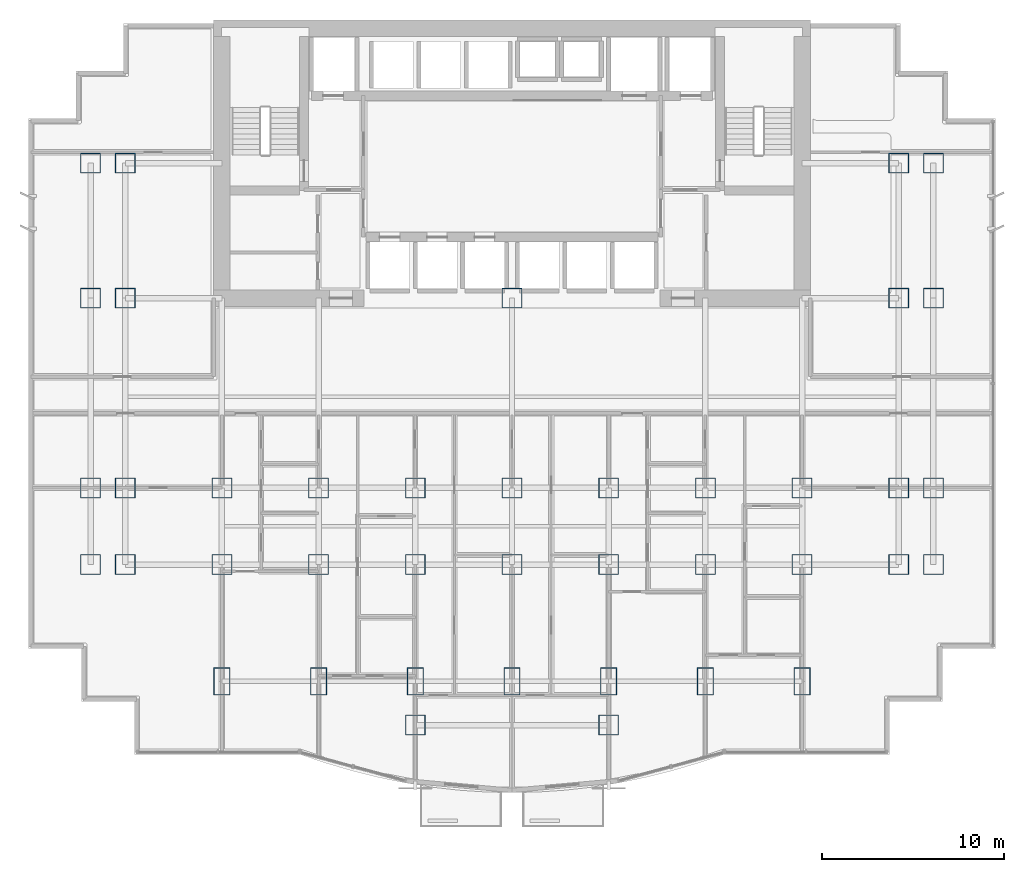
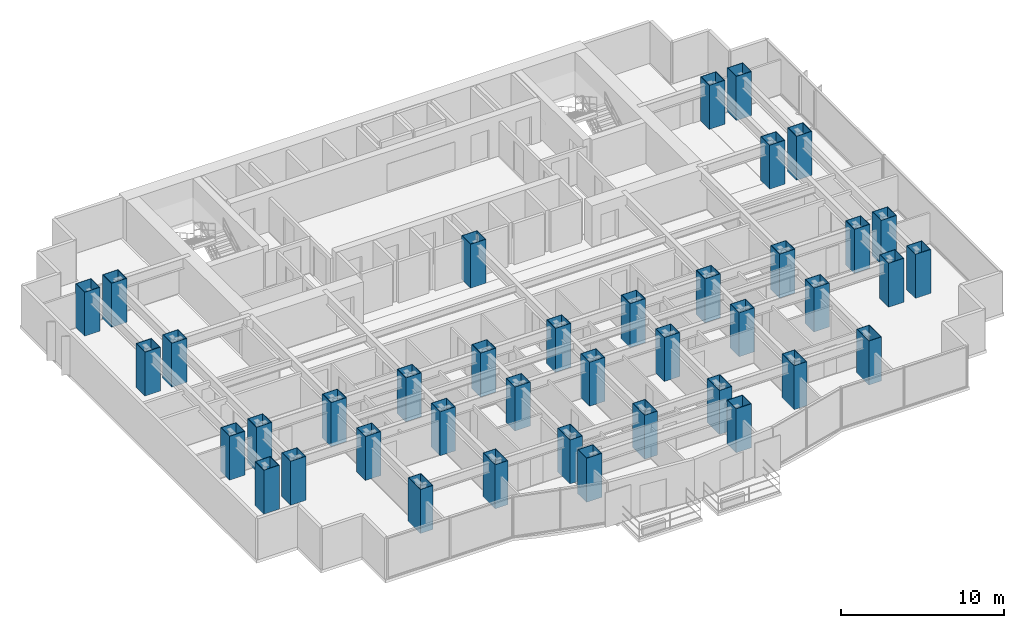
# One storey, part 1 of 12: 40 columns.
"""IFC4 building model written with IfcOpenShell, lengths in metres."""

from ifc_helpers import new_model, si_unit, direction, frame, origin, origin_2d, place, context, subcontext, project, spatial, hollow_rectangle, extrude, material, material_profile, profile_set, type_object, element, save


model = new_model("IFC4")

# Units and contexts
model_context = context("Model", 3, precision=1e-05, world=origin(), true_north=direction((0.0, 1.0)))
body_context = subcontext(model_context, "Body", "Model", "MODEL_VIEW")
ifc_project = project(units=[si_unit("LENGTHUNIT", "METRE"), si_unit("AREAUNIT", "SQUARE_METRE"), si_unit("VOLUMEUNIT", "CUBIC_METRE"), si_unit("PLANEANGLEUNIT", "RADIAN"), si_unit("MASSUNIT", "GRAM", prefix="KILO")], contexts=[model_context])

# Site, building, storey
site_placement = place(None, origin())
site = spatial("IfcSite", under=ifc_project, at=site_placement, CompositionType="ELEMENT")
building_placement = place(site_placement, origin())
building = spatial("IfcBuilding", under=site, at=building_placement, Name="Qianlan Lanfeng Residences", CompositionType="ELEMENT")
storey_placement = place(building_placement, frame((0.0, 0.0, 63.800048828125)))
storey = spatial("IfcBuildingStorey", under=building, at=storey_placement, Name="L17", CompositionType="ELEMENT", Elevation=63.800048828125)

# Columns
ifc_material = material(Name="Steel SN490B", Category="steel")
ifc_material_profile_1 = material_profile(ifc_material, hollow_rectangle(XDim=1.10009765625, YDim=1.10009765625, WallThickness=0.035888671875, at=origin_2d()), Name="BOX 1100x1100x36")
ifc_profile_set_1 = profile_set([ifc_material_profile_1], Name="Steel SN490B")
column_type_1 = type_object("IfcColumnType", Name="C-B1300", PredefinedType="COLUMN", material=ifc_profile_set_1)
for number, where, z_axis, x_axis, name in (
    (1, (26.5, 25.199951171875, 0.0), (0.0, 0.0, 1.0), (1.0, 0.0, 0.0), "L17 Structural Column CP_26.5_25.2"),
    (2, (10.60009765625, 14.800048828125, 0.0), (0.0, 0.0, 1.0), (1.0, 0.0, 0.0), "L17 Structural Column M_10.60_14.80"),
    (3, (10.60009765625, 10.60009765625, 0.0), (0.0, 0.0, 1.0), (1.0, 0.0, 0.0), "L17 Structural Column G_10.60_10.60"),
    (4, (15.89990234375, 14.800048828125, 0.0), (0.0, 0.0, 1.0), (1.0, 0.0, 0.0), "L17 Structural Column M_15.90_14.80"),
    (5, (15.89990234375, 10.60009765625, 0.0), (0.0, 0.0, 1.0), (1.0, 0.0, 0.0), "L17 Structural Column G_15.90_10.60"),
    (6, (21.199951171875, 14.800048828125, 0.0), (0.0, 0.0, 1.0), (1.0, 0.0, 0.0), "L17 Structural Column M_21.20_14.80"),
    (7, (21.199951171875, 10.60009765625, 0.0), (0.0, 0.0, 1.0), (1.0, 0.0, 0.0), "L17 Structural Column G_21.20_10.60"),
    (8, (26.5, 14.800048828125, 0.0), (0.0, 0.0, 1.0), (1.0, 0.0, 0.0), "L17 Structural Column M_26.50_14.80"),
    (9, (26.5, 10.60009765625, 0.0), (0.0, 0.0, 1.0), (1.0, 0.0, 0.0), "L17 Structural Column G_26.50_10.60"),
    (10, (31.800048828125, 14.800048828125, 0.0), (0.0, 0.0, 1.0), (1.0, 0.0, 0.0), "L17 Structural Column M_31.80_14.80"),
    (11, (31.800048828125, 10.60009765625, 0.0), (0.0, 0.0, 1.0), (1.0, 0.0, 0.0), "L17 Structural Column G_31.80_10.60"),
    (12, (37.10009765625, 14.800048828125, 0.0), (0.0, 0.0, 1.0), (1.0, 0.0, 0.0), "L17 Structural Column M_37.10_14.80"),
    (13, (37.10009765625, 10.60009765625, 0.0), (0.0, 0.0, 1.0), (1.0, 0.0, 0.0), "L17 Structural Column G_37.10_10.60"),
    (14, (42.39990234375, 14.800048828125, 0.0), (0.0, 0.0, 1.0), (1.0, 0.0, 0.0), "L17 Structural Column M_42.40_14.80"),
    (15, (42.39990234375, 10.60009765625, 0.0), (0.0, 0.0, 1.0), (1.0, 0.0, 0.0), "L17 Structural Column G_42.40_10.60"),
    (16, (21.199951171875, 1.800048828125, 0.0), (0.0, 0.0, 1.0), (1.0, 0.0, 0.0), "L17 Structural Column P_21.20_1.80"),
    (17, (31.800048828125, 1.800048828125, 0.0), (0.0, 0.0, 1.0), (1.0, 0.0, 0.0), "L17 Structural Column P_31.80_1.80"),
    (18, (3.39990234375, 10.60009765625, 0.0), (0.0, 0.0, 1.0), (1.0, 0.0, 0.0), "L17 Structural Column W_3.40_10.60"),
    (19, (3.39990234375, 14.800048828125, 0.0), (0.0, 0.0, 1.0), (1.0, 0.0, 0.0), "L17 Structural Column W_3.40_14.80"),
    (20, (3.39990234375, 25.199951171875, 0.0), (0.0, 0.0, 1.0), (1.0, 0.0, 0.0), "L17 Structural Column W_3.40_25.20"),
    (21, (3.39990234375, 32.60009765625, 0.0), (0.0, 0.0, 1.0), (1.0, 0.0, 0.0), "L17 Structural Column W_3.40_32.60"),
    (22, (5.300048828125, 10.60009765625, 0.0), (0.0, 0.0, 1.0), (1.0, 0.0, 0.0), "L17 Structural Column W_5.30_10.60"),
    (23, (5.300048828125, 14.800048828125, 0.0), (0.0, 0.0, 1.0), (1.0, 0.0, 0.0), "L17 Structural Column W_5.30_14.80"),
    (24, (5.300048828125, 25.199951171875, 0.0), (0.0, 0.0, 1.0), (1.0, 0.0, 0.0), "L17 Structural Column W_5.30_25.20"),
    (25, (5.300048828125, 32.60009765625, 0.0), (0.0, 0.0, 1.0), (1.0, 0.0, 0.0), "L17 Structural Column W_5.30_32.60"),
    (26, (47.699951171875, 10.60009765625, 0.0), (0.0, 0.0, 1.0), (1.0, 0.0, 0.0), "L17 Structural Column W_47.70_10.60"),
    (27, (47.699951171875, 14.800048828125, 0.0), (0.0, 0.0, 1.0), (1.0, 0.0, 0.0), "L17 Structural Column W_47.70_14.80"),
    (28, (47.699951171875, 25.199951171875, 0.0), (0.0, 0.0, 1.0), (1.0, 0.0, 0.0), "L17 Structural Column W_47.70_25.20"),
    (29, (47.699951171875, 32.60009765625, 0.0), (0.0, 0.0, 1.0), (1.0, 0.0, 0.0), "L17 Structural Column W_47.70_32.60"),
    (30, (49.60009765625, 10.60009765625, 0.0), (0.0, 0.0, 1.0), (1.0, 0.0, 0.0), "L17 Structural Column W_49.60_10.60"),
    (31, (49.60009765625, 14.800048828125, 0.0), (0.0, 0.0, 1.0), (1.0, 0.0, 0.0), "L17 Structural Column W_49.60_14.80"),
    (32, (49.60009765625, 25.199951171875, 0.0), (0.0, 0.0, 1.0), (1.0, 0.0, 0.0), "L17 Structural Column W_49.60_25.20"),
    (33, (49.60009765625, 32.60009765625, 0.0), (0.0, 0.0, 1.0), (1.0, 0.0, 0.0), "L17 Structural Column W_49.60_32.60"),
):
    element("IfcColumn", number, at=place(storey_placement, frame(where, z_axis=z_axis, x_axis=x_axis)), inside=storey, type_object=column_type_1, Name=name, PredefinedType="COLUMN", context=body_context, shape_type="SweptSolid", body=[
        extrude(hollow_rectangle(XDim=1.10009765625, YDim=1.10009765625, WallThickness=0.035888671875, at=origin_2d()), origin(), (0.0, 0.0, 1.0), 3.300048828125),
    ])
ifc_material_profile_2 = material_profile(ifc_material, hollow_rectangle(XDim=0.89990234375, YDim=1.5, WallThickness=0.035888671875, at=origin_2d()), Name="BOX 1500x900x36")
ifc_profile_set_2 = profile_set([ifc_material_profile_2], Name="Steel SN490B")
column_type_2 = type_object("IfcColumnType", Name="CE-B1250", PredefinedType="COLUMN", material=ifc_profile_set_2)
for number, where, z_axis, x_axis, name in (
    (34, (10.60009765625, 4.199951171875, 0.0), (0.0, 0.0, 1.0), (1.0, 0.0, 0.0), "L17 Structural Column S_10.60_4.20"),
    (35, (15.89990234375, 4.199951171875, 0.0), (0.0, 0.0, 1.0), (1.0, 0.0, 0.0), "L17 Structural Column S_15.90_4.20"),
    (36, (21.199951171875, 4.199951171875, 0.0), (0.0, 0.0, 1.0), (1.0, 0.0, 0.0), "L17 Structural Column S_21.20_4.20"),
    (37, (26.5, 4.199951171875, 0.0), (0.0, 0.0, 1.0), (1.0, 0.0, 0.0), "L17 Structural Column S_26.50_4.20"),
    (38, (31.800048828125, 4.199951171875, 0.0), (0.0, 0.0, 1.0), (1.0, 0.0, 0.0), "L17 Structural Column S_31.80_4.20"),
    (39, (37.10009765625, 4.199951171875, 0.0), (0.0, 0.0, 1.0), (1.0, 0.0, 0.0), "L17 Structural Column S_37.10_4.20"),
    (40, (42.39990234375, 4.199951171875, 0.0), (0.0, 0.0, 1.0), (1.0, 0.0, 0.0), "L17 Structural Column S_42.40_4.20"),
):
    element("IfcColumn", number, at=place(storey_placement, frame(where, z_axis=z_axis, x_axis=x_axis)), inside=storey, type_object=column_type_2, Name=name, PredefinedType="COLUMN", context=body_context, shape_type="SweptSolid", body=[
        extrude(hollow_rectangle(XDim=0.89990234375, YDim=1.5, WallThickness=0.035888671875, at=origin_2d()), origin(), (0.0, 0.0, 1.0), 3.300048828125),
    ])

save(model, "model.ifc")
